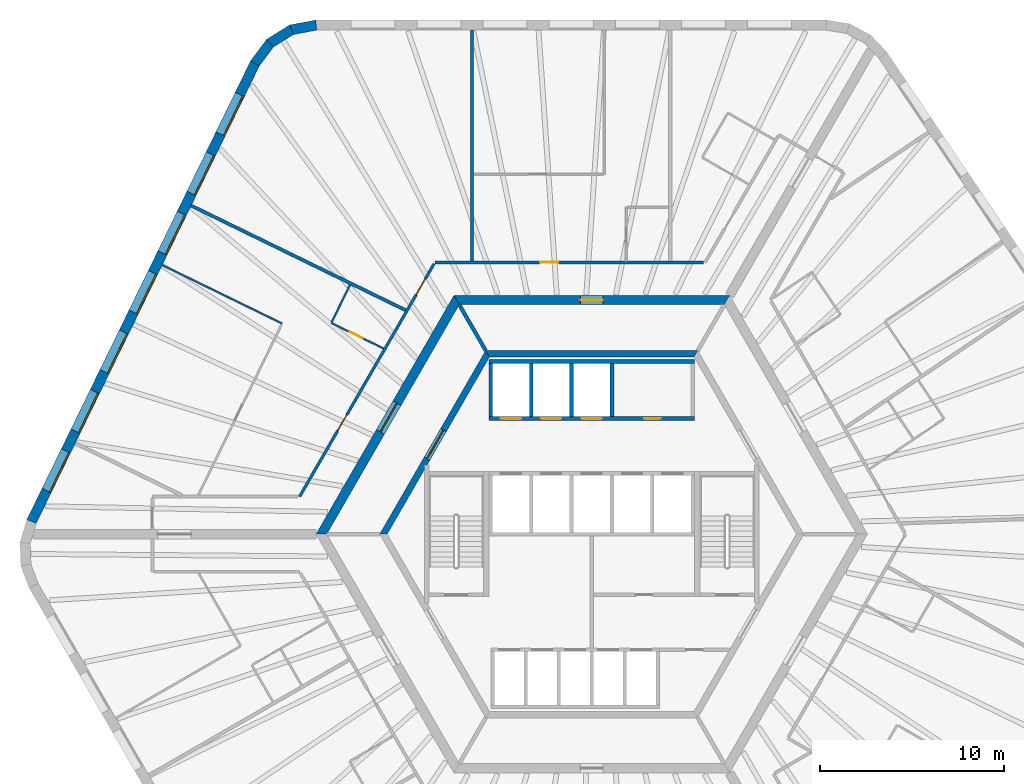
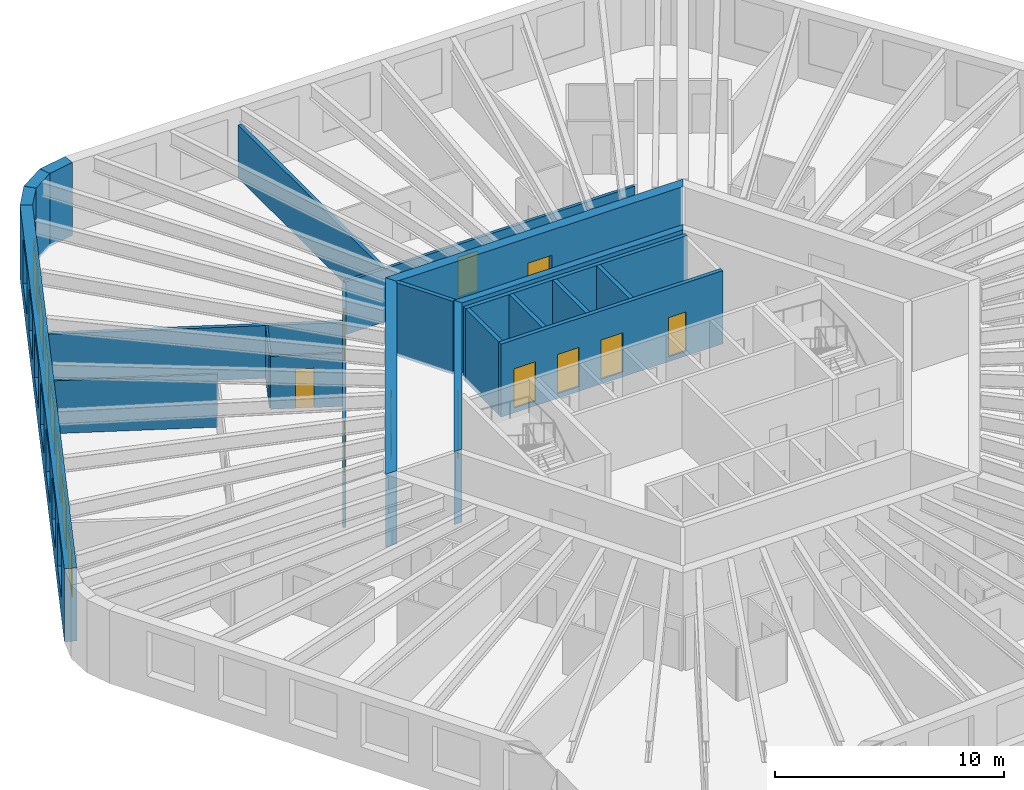
# One storey, part 7 of 10: 22 walls, 11 doors, 7 windows, 18 openings.
"""IFC4 building model written with IfcOpenShell, lengths in metres."""

from ifc_helpers import new_model, si_unit, direction, frame, frame_2d, origin, place, context, subcontext, project, spatial, polyline, rectangle, outline, extrude, material, layer, layer_set, type_object, element, fill, save


model = new_model("IFC4")

# Units and contexts
model_context = context("Model", 3, precision=1e-05, world=origin(), true_north=direction((0.0, 1.0)))
body_context = subcontext(model_context, "Body", "Model", "MODEL_VIEW")
ifc_project = project(units=[si_unit("LENGTHUNIT", "METRE"), si_unit("AREAUNIT", "SQUARE_METRE"), si_unit("VOLUMEUNIT", "CUBIC_METRE"), si_unit("PLANEANGLEUNIT", "RADIAN"), si_unit("MASSUNIT", "GRAM", prefix="KILO")], contexts=[model_context])

# Site, building, storey
site_placement = place(None, origin())
site = spatial("IfcSite", under=ifc_project, at=site_placement, CompositionType="ELEMENT")
building_placement = place(site_placement, origin())
building = spatial("IfcBuilding", under=site, at=building_placement, Name="Tarnside Tower", CompositionType="ELEMENT")
storey_placement = place(building_placement, frame((0.0, 0.0, 156.60009765625)))
storey = spatial("IfcBuildingStorey", under=building, at=storey_placement, Name="L36", CompositionType="ELEMENT", Elevation=156.60009765625)

# Wall, opening, door
ifc_material_1 = material(Name="Gypsum board partition on steel studs", Category="steel")
ifc_layer_1 = layer(ifc_material_1, 0.10009765625)
ifc_layer_set_1 = layer_set([ifc_layer_1], Name="Bathroom wall 100")
wall_type_1 = type_object("IfcWallType", Name="Bathroom wall 100", PredefinedType="PARTITIONING", material=ifc_layer_set_1)
wall_1_placement = place(storey_placement, frame((-11.338134765625, 10.111572265625, 0.0), z_axis=(0.0, 0.0, 1.0), x_axis=(-0.898781792608, 0.438396269688, 0.0)))
wall_1 = element("IfcWall", 1, at=wall_1_placement, inside=storey, type_object=wall_type_1, Name="Bathroom wall 11061", PredefinedType="PARTITIONING", context=body_context, shape_type="SweptSolid", body=[
    extrude(rectangle(XDim=3.164306640625, YDim=0.10009765625, at=frame_2d((1.58203125, 0.0))), origin(), (0.0, 0.0, 1.0), 2.8232421875),
])
opening_1_placement = place(wall_1_placement, frame((1.26416015625, 0.0, 0.0)))
opening_1 = element("IfcOpeningElement", 2, at=opening_1_placement, cuts=wall_1, Name="Opening D-B1", PredefinedType="OPENING", context=body_context, shape_type="SweptSolid", body=[
    extrude(rectangle(XDim=0.800048828125, YDim=2.10009765625, at=frame_2d((0.39990234375, 1.050048828125))), frame((0.0, 0.06005859375, 0.0), z_axis=(0.0, -1.0, 0.0), x_axis=(1.0, 0.0, 0.0)), (0.0, 0.0, 1.0), 0.1201171875),
])
ifc_material_2 = material(Name="Timber door leaf", Category="wood")
door_type_1 = type_object("IfcDoorType", Name="Bathroom door 800", OperationType="NOTDEFINED", PredefinedType="DOOR", material=ifc_material_2)
door_1_placement = place(opening_1_placement, origin())
door_1 = element("IfcDoor", 3, at=door_1_placement, inside=storey, type_object=door_type_1, Name="Bathroom door 11008", OperationType="SINGLE_SWING_LEFT", OverallHeight=2.10009765625, OverallWidth=0.800048828125, PredefinedType="DOOR", context=body_context, shape_type="SweptSolid", body=[
    extrude(rectangle(XDim=0.800048828125, YDim=2.10009765625, at=frame_2d((0.39990234375, 1.050048828125))), frame((0.0, 0.02490234375, 0.0), z_axis=(0.0, -1.0, 0.0), x_axis=(1.0, 0.0, 0.0)), (0.0, 0.0, 1.0), 0.050048828125),
])
fill(opening_1, door_1)

# Wall
wall_2_placement = place(storey_placement, frame((-14.160400390625, 11.543701171875, 0.0), z_axis=(0.0, 0.0, 1.0), x_axis=(0.438376807268, 0.898791285477, 0.0)))
element("IfcWall", 4, at=wall_2_placement, inside=storey, type_object=wall_type_1, Name="Bathroom wall 11062", PredefinedType="PARTITIONING", context=body_context, shape_type="SweptSolid", body=[
    extrude(rectangle(XDim=2.260009765625, YDim=0.10009765625, at=frame_2d((1.1298828125, 0.0))), origin(), (0.0, 0.0, 1.0), 2.8232421875),
])

# Wall, opening, door
ifc_material_3 = material(Name="Concrete C50/60", Category="concrete")
ifc_layer_2 = layer(ifc_material_3, 0.35009765625)
ifc_layer_set_2 = layer_set([ifc_layer_2], Name="Core block wall 350 C50/60")
wall_type_2 = type_object("IfcWallType", Name="Core block wall 350 C50/60", PredefinedType="SHEAR", material=ifc_layer_set_2)
wall_3_placement = place(storey_placement, frame((-5.672607421875, 9.824951171875, -0.150146484375), z_axis=(0.0, 0.0, 1.0), x_axis=(-0.499995046907, -0.866028263435, 0.0)))
wall_3 = element("IfcWall", 5, at=wall_3_placement, inside=storey, type_object=wall_type_2, Name="L36 core block wall face 2", PredefinedType="SHEAR", context=body_context, shape_type="SweptSolid", body=[
    extrude(outline(polyline([(-0.10107421875, -0.175048828125), (11.44580078125, -0.175048828125), (11.24365234375, 0.175048828125), (0.10107421875, 0.175048828125), (-0.10107421875, -0.175048828125)])), origin(), (0.0, 0.0, 1.0), 3.900146484375),
])
opening_2_placement = place(wall_3_placement, frame((4.80126953125, 0.0, 0.14990234375)))
opening_2 = element("IfcOpeningElement", 6, at=opening_2_placement, cuts=wall_3, Name="Opening CD-LOB", PredefinedType="OPENING", context=body_context, shape_type="SweptSolid", body=[
    extrude(rectangle(XDim=1.800048828125, YDim=2.39990234375, at=frame_2d((0.89990234375, 1.199951171875))), frame((0.0, 0.18505859375, 0.0), z_axis=(0.0, -1.0, 0.0), x_axis=(1.0, 0.0, 0.0)), (0.0, 0.0, 1.0), 0.3701171875),
])
ifc_material_4 = material(Name="Steel fire door", Category="steel")
door_type_2 = type_object("IfcDoorType", Name="Lobby double door FD30S 1800x2400", OperationType="NOTDEFINED", PredefinedType="DOOR", material=ifc_material_4)
door_2_placement = place(opening_2_placement, origin())
door_2 = element("IfcDoor", 7, at=door_2_placement, inside=storey, type_object=door_type_2, Name="L36 lobby block door P1", OperationType="DOUBLE_DOOR_SINGLE_SWING", OverallHeight=2.39990234375, OverallWidth=1.800048828125, PredefinedType="DOOR", context=body_context, shape_type="SweptSolid", body=[
    extrude(rectangle(XDim=1.800048828125, YDim=2.39990234375, at=frame_2d((0.89990234375, 1.199951171875))), frame((0.0, 0.02490234375, 0.0), z_axis=(0.0, -1.0, 0.0), x_axis=(1.0, 0.0, 0.0)), (0.0, 0.0, 1.0), 0.050048828125),
])
fill(opening_2, door_2)

# Wall
wall_4_placement = place(storey_placement, frame((5.672607421875, 9.824951171875, -0.150146484375), z_axis=(0.0, 0.0, 1.0), x_axis=(-1.0, 0.0, 0.0)))
element("IfcWall", 8, at=wall_4_placement, inside=storey, type_object=wall_type_2, Name="L36 core block wall face 1", PredefinedType="SHEAR", context=body_context, shape_type="SweptSolid", body=[
    extrude(outline(polyline([(-0.10107421875, -0.175048828125), (11.4462890625, -0.175048828125), (11.244140625, 0.175048828125), (0.10107421875, 0.175048828125), (-0.10107421875, -0.175048828125)])), origin(), (0.0, 0.0, 1.0), 3.900146484375),
])

# Wall, opening, door
ifc_material_5 = material(Name="Concrete C70/85", Category="concrete")
ifc_layer_3 = layer(ifc_material_5, 0.5)
ifc_layer_set_3 = layer_set([ifc_layer_3], Name="Core wall Z2 500 C70/85")
wall_type_3 = type_object("IfcWallType", Name="Core wall Z2 500 C70/85", PredefinedType="SHEAR", material=ifc_layer_set_3)
wall_5_placement = place(storey_placement, frame((-7.361083984375, 12.75, -0.150146484375), z_axis=(0.0, 0.0, 1.0), x_axis=(-0.50000571537, -0.866022103989, 0.0)))
wall_5 = element("IfcWall", 9, at=wall_5_placement, inside=storey, type_object=wall_type_3, Name="L36 core wall face 2", PredefinedType="SHEAR", context=body_context, shape_type="SweptSolid", body=[
    extrude(outline(polyline([(-0.144287109375, -0.25), (14.86669921875, -0.25), (14.578125, 0.25), (0.144287109375, 0.25), (-0.144287109375, -0.25)])), origin(), (0.0, 0.0, 1.0), 3.900146484375),
])
opening_3_placement = place(wall_5_placement, frame((6.489990234375, 0.0, 0.14990234375)))
opening_3 = element("IfcOpeningElement", 10, at=opening_3_placement, cuts=wall_5, Name="Opening CD-LOB", PredefinedType="OPENING", context=body_context, shape_type="SweptSolid", body=[
    extrude(rectangle(XDim=1.800048828125, YDim=2.39990234375, at=frame_2d((0.89990234375, 1.199951171875))), frame((0.0, 0.260009765625, 0.0), z_axis=(0.0, -1.0, 0.0), x_axis=(1.0, 0.0, 0.0)), (0.0, 0.0, 1.0), 0.52001953125),
])
door_3_placement = place(opening_3_placement, origin())
door_3 = element("IfcDoor", 11, at=door_3_placement, inside=storey, type_object=door_type_2, Name="L36 core door P1", OperationType="DOUBLE_DOOR_SINGLE_SWING", OverallHeight=2.39990234375, OverallWidth=1.800048828125, PredefinedType="DOOR", context=body_context, shape_type="SweptSolid", body=[
    extrude(rectangle(XDim=1.800048828125, YDim=2.39990234375, at=frame_2d((0.89990234375, 1.199951171875))), frame((0.0, 0.02490234375, 0.0), z_axis=(0.0, -1.0, 0.0), x_axis=(1.0, 0.0, 0.0)), (0.0, 0.0, 1.0), 0.050048828125),
])
fill(opening_3, door_3)

wall_6_placement = place(storey_placement, frame((7.361083984375, 12.75, -0.150146484375), z_axis=(0.0, 0.0, 1.0), x_axis=(-1.0, 0.0, 0.0)))
wall_6 = element("IfcWall", 12, at=wall_6_placement, inside=storey, type_object=wall_type_3, Name="L36 core wall face 1", PredefinedType="SHEAR", context=body_context, shape_type="SweptSolid", body=[
    extrude(outline(polyline([(-0.144287109375, -0.25), (14.866455078125, -0.25), (14.577880859375, 0.25), (0.144287109375, 0.25), (-0.144287109375, -0.25)])), origin(), (0.0, 0.0, 1.0), 3.900146484375),
])
opening_4_placement = place(wall_6_placement, frame((6.76123046875, 0.0, 0.14990234375)))
opening_4 = element("IfcOpeningElement", 13, at=opening_4_placement, cuts=wall_6, Name="Opening CD-RSR", PredefinedType="OPENING", context=body_context, shape_type="SweptSolid", body=[
    extrude(rectangle(XDim=1.199951171875, YDim=2.39990234375, at=frame_2d((0.60009765625, 1.199951171875))), frame((0.0, 0.260009765625, 0.0), z_axis=(0.0, -1.0, 0.0), x_axis=(1.0, 0.0, 0.0)), (0.0, 0.0, 1.0), 0.52001953125),
])
door_type_3 = type_object("IfcDoorType", Name="Riser door FD60 1200x2400", OperationType="NOTDEFINED", PredefinedType="DOOR", material=ifc_material_4)
door_4_placement = place(opening_4_placement, origin())
door_4 = element("IfcDoor", 14, at=door_4_placement, inside=storey, type_object=door_type_3, Name="L36 core door S5", OperationType="SINGLE_SWING_LEFT", OverallHeight=2.39990234375, OverallWidth=1.199951171875, PredefinedType="DOOR", context=body_context, shape_type="SweptSolid", body=[
    extrude(rectangle(XDim=1.199951171875, YDim=2.39990234375, at=frame_2d((0.60009765625, 1.199951171875))), frame((0.0, 0.02490234375, 0.0), z_axis=(0.0, -1.0, 0.0), x_axis=(1.0, 0.0, 0.0)), (0.0, 0.0, 1.0), 0.050048828125),
])
fill(opening_4, door_4)

ifc_layer_4 = layer(ifc_material_1, 0.14990234375)
ifc_layer_set_4 = layer_set([ifc_layer_4], Name="Corridor wall 150 EI 60")
wall_type_4 = type_object("IfcWallType", Name="Corridor wall 150 EI 60", PredefinedType="PARTITIONING", material=ifc_layer_set_4)
wall_7_placement = place(storey_placement, frame((6.091064453125, 14.800048828125, 0.0), z_axis=(0.0, 0.0, 1.0), x_axis=(-1.0, 0.0, 0.0)))
wall_7 = element("IfcWall", 15, at=wall_7_placement, inside=storey, type_object=wall_type_4, Name="Corridor wall 11002", PredefinedType="PARTITIONING", context=body_context, shape_type="SweptSolid", body=[
    extrude(rectangle(XDim=14.6357421875, YDim=0.14990234375, at=frame_2d((7.31787109375, 0.0))), origin(), (0.0, 0.0, 1.0), 2.8232421875),
])
opening_5_placement = place(wall_7_placement, frame((7.908935546875, 0.0, 0.0)))
opening_5 = element("IfcOpeningElement", 16, at=opening_5_placement, cuts=wall_7, Name="Opening D-E1", PredefinedType="OPENING", context=body_context, shape_type="SweptSolid", body=[
    extrude(rectangle(XDim=1.0, YDim=2.10009765625, at=frame_2d((0.5, 1.050048828125))), frame((0.0, 0.0849609375, 0.0), z_axis=(0.0, -1.0, 0.0), x_axis=(1.0, 0.0, 0.0)), (0.0, 0.0, 1.0), 0.169921875),
])
door_type_4 = type_object("IfcDoorType", Name="Unit entrance door 1000 FD30S", OperationType="NOTDEFINED", PredefinedType="DOOR", material=ifc_material_2)
door_5_placement = place(opening_5_placement, origin())
door_5 = element("IfcDoor", 17, at=door_5_placement, inside=storey, type_object=door_type_4, Name="Unit door 11003", OperationType="SINGLE_SWING_RIGHT", OverallHeight=2.10009765625, OverallWidth=1.0, PredefinedType="DOOR", context=body_context, shape_type="SweptSolid", body=[
    extrude(rectangle(XDim=1.0, YDim=2.10009765625, at=frame_2d((0.5, 1.050048828125))), frame((0.0, 0.02490234375, 0.0), z_axis=(0.0, -1.0, 0.0), x_axis=(1.0, 0.0, 0.0)), (0.0, 0.0, 1.0), 0.050048828125),
])
fill(opening_5, door_5)

# Wall, openings, doors
wall_8_placement = place(storey_placement, frame((-8.588134765625, 14.72509765625, 0.0), z_axis=(0.0, 0.0, 1.0), x_axis=(-0.499996322767, -0.866027526826, 0.0)))
wall_8 = element("IfcWall", 18, at=wall_8_placement, inside=storey, type_object=wall_type_4, Name="Corridor wall 11009", PredefinedType="PARTITIONING", context=body_context, shape_type="SweptSolid", body=[
    extrude(rectangle(XDim=14.6357421875, YDim=0.14990234375, at=frame_2d((7.31787109375, 0.0))), origin(), (0.0, 0.0, 1.0), 2.8232421875),
])
opening_6_placement = place(wall_8_placement, frame((0.936279296875, 0.0, 0.0)))
opening_6 = element("IfcOpeningElement", 19, at=opening_6_placement, cuts=wall_8, Name="Opening D-E1", PredefinedType="OPENING", context=body_context, shape_type="SweptSolid", body=[
    extrude(rectangle(XDim=1.0, YDim=2.10009765625, at=frame_2d((0.5, 1.050048828125))), frame((0.0, 0.0849609375, 0.0), z_axis=(0.0, -1.0, 0.0), x_axis=(1.0, 0.0, 0.0)), (0.0, 0.0, 1.0), 0.169921875),
])
opening_7_placement = place(wall_8_placement, frame((9.49462890625, 0.0, 0.0)))
opening_7 = element("IfcOpeningElement", 20, at=opening_7_placement, cuts=wall_8, Name="Opening D-E1", PredefinedType="OPENING", context=body_context, shape_type="SweptSolid", body=[
    extrude(rectangle(XDim=1.0, YDim=2.10009765625, at=frame_2d((0.5, 1.050048828125))), frame((0.0, 0.0849609375, 0.0), z_axis=(0.0, -1.0, 0.0), x_axis=(1.0, 0.0, 0.0)), (0.0, 0.0, 1.0), 0.169921875),
])
door_6_placement = place(opening_6_placement, origin())
door_6 = element("IfcDoor", 21, at=door_6_placement, inside=storey, type_object=door_type_4, Name="Unit door 11006", OperationType="SINGLE_SWING_RIGHT", OverallHeight=2.10009765625, OverallWidth=1.0, PredefinedType="DOOR", context=body_context, shape_type="SweptSolid", body=[
    extrude(rectangle(XDim=1.0, YDim=2.10009765625, at=frame_2d((0.5, 1.050048828125))), frame((0.0, 0.02490234375, 0.0), z_axis=(0.0, -1.0, 0.0), x_axis=(1.0, 0.0, 0.0)), (0.0, 0.0, 1.0), 0.050048828125),
])
fill(opening_6, door_6)
door_7_placement = place(opening_7_placement, origin())
door_7 = element("IfcDoor", 22, at=door_7_placement, inside=storey, type_object=door_type_4, Name="Unit door 11007", OperationType="SINGLE_SWING_RIGHT", OverallHeight=2.10009765625, OverallWidth=1.0, PredefinedType="DOOR", context=body_context, shape_type="SweptSolid", body=[
    extrude(rectangle(XDim=1.0, YDim=2.10009765625, at=frame_2d((0.5, 1.050048828125))), frame((0.0, 0.02490234375, 0.0), z_axis=(0.0, -1.0, 0.0), x_axis=(1.0, 0.0, 0.0)), (0.0, 0.0, 1.0), 0.050048828125),
])
fill(opening_7, door_7)

# Walls
ifc_layer_5 = layer(ifc_material_1, 0.179931640625)
ifc_layer_set_5 = layer_set([ifc_layer_5], Name="Demising wall 180 EI 60")
wall_type_5 = type_object("IfcWallType", Name="Demising wall 180 EI 60", PredefinedType="PARTITIONING", material=ifc_layer_set_5)
wall_9_placement = place(storey_placement, frame((-6.517822265625, 27.449951171875, 0.0), z_axis=(0.0, 0.0, 1.0), x_axis=(0.0, -1.0, 0.0)))
element("IfcWall", 23, at=wall_9_placement, inside=storey, type_object=wall_type_5, Name="Demising wall 11057", PredefinedType="PARTITIONING", context=body_context, shape_type="SweptSolid", body=[
    extrude(rectangle(XDim=12.574951171875, YDim=0.179931640625, at=frame_2d((6.28759765625, 0.0))), origin(), (0.0, 0.0, 1.0), 2.8232421875),
])
wall_10_placement = place(storey_placement, frame((-21.814697265625, 17.8916015625, 0.0), z_axis=(0.0, 0.0, 1.0), x_axis=(0.898798778742, -0.43836144371, 0.0)))
element("IfcWall", 24, at=wall_10_placement, inside=storey, type_object=wall_type_5, Name="Demising wall 11059", PredefinedType="PARTITIONING", context=body_context, shape_type="SweptSolid", body=[
    extrude(rectangle(XDim=12.994384765625, YDim=0.179931640625, at=frame_2d((6.4970703125, 0.0))), origin(), (0.0, 0.0, 1.0), 2.8232421875),
])

# Wall, openings, doors
ifc_material_6 = material(Name="Concrete C40/50", Category="concrete")
ifc_layer_6 = layer(ifc_material_6, 0.199951171875)
ifc_layer_set_6 = layer_set([ifc_layer_6], Name="Lift shaft wall 200 C40/50")
wall_type_6 = type_object("IfcWallType", Name="Lift shaft wall 200 C40/50", PredefinedType="SHEAR", material=ifc_layer_set_6)
wall_11_placement = place(storey_placement, frame((-5.60009765625, 6.300048828125, -0.25), z_axis=(0.0, 0.0, 1.0), x_axis=(1.0, 0.0, 0.0)))
wall_11 = element("IfcWall", 25, at=wall_11_placement, inside=storey, type_object=wall_type_6, Name="L36 lift shaft front wall R1", PredefinedType="SHEAR", context=body_context, shape_type="SweptSolid", body=[
    extrude(rectangle(XDim=11.2001953125, YDim=0.199951171875, at=frame_2d((5.60009765625, 0.0))), origin(), (0.0, 0.0, 1.0), 3.89990234375),
])
opening_8_placement = place(wall_11_placement, frame((8.449951171875, 0.0, 0.25)))
opening_8 = element("IfcOpeningElement", 26, at=opening_8_placement, cuts=wall_11, Name="Opening CD-room", PredefinedType="OPENING", context=body_context, shape_type="SweptSolid", body=[
    extrude(rectangle(XDim=0.89990234375, YDim=2.10009765625, at=frame_2d((0.449951171875, 1.050048828125))), frame((0.0, 0.10986328125, 0.0), z_axis=(0.0, -1.0, 0.0), x_axis=(1.0, 0.0, 0.0)), (0.0, 0.0, 1.0), 0.219970703125),
])
opening_9_placement = place(wall_11_placement, frame((0.64990234375, 0.0, 0.25)))
opening_9 = element("IfcOpeningElement", 27, at=opening_9_placement, cuts=wall_11, Name="Opening LD", PredefinedType="OPENING", context=body_context, shape_type="SweptSolid", body=[
    extrude(rectangle(XDim=1.10009765625, YDim=2.10009765625, at=frame_2d((0.550048828125, 1.050048828125))), frame((0.0, 0.10986328125, 0.0), z_axis=(0.0, -1.0, 0.0), x_axis=(1.0, 0.0, 0.0)), (0.0, 0.0, 1.0), 0.219970703125),
])
opening_10_placement = place(wall_11_placement, frame((2.85009765625, 0.0, 0.25)))
opening_10 = element("IfcOpeningElement", 28, at=opening_10_placement, cuts=wall_11, Name="Opening LD", PredefinedType="OPENING", context=body_context, shape_type="SweptSolid", body=[
    extrude(rectangle(XDim=1.10009765625, YDim=2.10009765625, at=frame_2d((0.550048828125, 1.050048828125))), frame((0.0, 0.10986328125, 0.0), z_axis=(0.0, -1.0, 0.0), x_axis=(1.0, 0.0, 0.0)), (0.0, 0.0, 1.0), 0.219970703125),
])
opening_11_placement = place(wall_11_placement, frame((5.050048828125, 0.0, 0.25)))
opening_11 = element("IfcOpeningElement", 29, at=opening_11_placement, cuts=wall_11, Name="Opening LD", PredefinedType="OPENING", context=body_context, shape_type="SweptSolid", body=[
    extrude(rectangle(XDim=1.10009765625, YDim=2.10009765625, at=frame_2d((0.550048828125, 1.050048828125))), frame((0.0, 0.10986328125, 0.0), z_axis=(0.0, -1.0, 0.0), x_axis=(1.0, 0.0, 0.0)), (0.0, 0.0, 1.0), 0.219970703125),
])
ifc_material_7 = material(Name="Stainless steel", Category="steel")
door_type_5 = type_object("IfcDoorType", Name="Lift landing door 1100x2100", OperationType="NOTDEFINED", PredefinedType="DOOR", material=ifc_material_7)
door_8_placement = place(opening_9_placement, origin())
door_8 = element("IfcDoor", 30, at=door_8_placement, inside=storey, type_object=door_type_5, Name="Mid-rise lift 1 landing door L36", OperationType="SLIDING_TO_LEFT", OverallHeight=2.10009765625, OverallWidth=1.10009765625, PredefinedType="DOOR", context=body_context, shape_type="SweptSolid", body=[
    extrude(rectangle(XDim=1.10009765625, YDim=2.10009765625, at=frame_2d((0.550048828125, 1.050048828125))), frame((0.0, 0.02490234375, 0.0), z_axis=(0.0, -1.0, 0.0), x_axis=(1.0, 0.0, 0.0)), (0.0, 0.0, 1.0), 0.050048828125),
])
fill(opening_9, door_8)
door_9_placement = place(opening_10_placement, origin())
door_9 = element("IfcDoor", 31, at=door_9_placement, inside=storey, type_object=door_type_5, Name="Mid-rise lift 2 landing door L36", OperationType="SLIDING_TO_LEFT", OverallHeight=2.10009765625, OverallWidth=1.10009765625, PredefinedType="DOOR", context=body_context, shape_type="SweptSolid", body=[
    extrude(rectangle(XDim=1.10009765625, YDim=2.10009765625, at=frame_2d((0.550048828125, 1.050048828125))), frame((0.0, 0.02490234375, 0.0), z_axis=(0.0, -1.0, 0.0), x_axis=(1.0, 0.0, 0.0)), (0.0, 0.0, 1.0), 0.050048828125),
])
fill(opening_10, door_9)
door_10_placement = place(opening_11_placement, origin())
door_10 = element("IfcDoor", 32, at=door_10_placement, inside=storey, type_object=door_type_5, Name="Mid-rise lift 3 landing door L36", OperationType="SLIDING_TO_LEFT", OverallHeight=2.10009765625, OverallWidth=1.10009765625, PredefinedType="DOOR", context=body_context, shape_type="SweptSolid", body=[
    extrude(rectangle(XDim=1.10009765625, YDim=2.10009765625, at=frame_2d((0.550048828125, 1.050048828125))), frame((0.0, 0.02490234375, 0.0), z_axis=(0.0, -1.0, 0.0), x_axis=(1.0, 0.0, 0.0)), (0.0, 0.0, 1.0), 0.050048828125),
])
fill(opening_11, door_10)
door_type_6 = type_object("IfcDoorType", Name="Room door FD60 900x2100", OperationType="NOTDEFINED", PredefinedType="DOOR", material=ifc_material_4)
door_11_placement = place(opening_8_placement, origin())
door_11 = element("IfcDoor", 33, at=door_11_placement, inside=storey, type_object=door_type_6, Name="L36 core room door FC1", OperationType="SINGLE_SWING_LEFT", OverallHeight=2.10009765625, OverallWidth=0.89990234375, PredefinedType="DOOR", context=body_context, shape_type="SweptSolid", body=[
    extrude(rectangle(XDim=0.89990234375, YDim=2.10009765625, at=frame_2d((0.449951171875, 1.050048828125))), frame((0.0, 0.02490234375, 0.0), z_axis=(0.0, -1.0, 0.0), x_axis=(1.0, 0.0, 0.0)), (0.0, 0.0, 1.0), 0.050048828125),
])
fill(opening_8, door_11)

# Walls
wall_12_placement = place(storey_placement, frame((-5.60009765625, 9.39990234375, -0.25), z_axis=(0.0, 0.0, 1.0), x_axis=(1.0, 0.0, 0.0)))
element("IfcWall", 34, at=wall_12_placement, inside=storey, type_object=wall_type_6, Name="L36 lift shaft back wall R1", PredefinedType="SHEAR", context=body_context, shape_type="SweptSolid", body=[
    extrude(rectangle(XDim=11.2001953125, YDim=0.199951171875, at=frame_2d((5.60009765625, 0.0))), origin(), (0.0, 0.0, 1.0), 3.89990234375),
])
for number, where, z_axis, x_axis, name in (
    (35, (-5.5, 6.39990234375, -0.25), (0.0, 0.0, 1.0), (0.0, 1.0, 0.0), "L36 lift shaft partition R11"),
    (36, (-3.300048828125, 6.39990234375, -0.25), (0.0, 0.0, 1.0), (0.0, 1.0, 0.0), "L36 lift shaft partition R12"),
    (37, (-1.10009765625, 6.39990234375, -0.25), (0.0, 0.0, 1.0), (0.0, 1.0, 0.0), "L36 lift shaft partition R13"),
    (38, (1.10009765625, 6.39990234375, -0.25), (0.0, 0.0, 1.0), (0.0, 1.0, 0.0), "L36 lift shaft partition R14"),
):
    element("IfcWall", number, at=place(storey_placement, frame(where, z_axis=z_axis, x_axis=x_axis)), inside=storey, type_object=wall_type_6, Name=name, PredefinedType="SHEAR", context=body_context, shape_type="SweptSolid", body=[
        extrude(rectangle(XDim=2.900146484375, YDim=0.199951171875, at=frame_2d((1.4501953125, 0.0))), origin(), (0.0, 0.0, 1.0), 3.89990234375),
    ])
wall_13_placement = place(storey_placement, frame((-5.7734375, 10.0, -0.150146484375), z_axis=(0.0, 0.0, 1.0), x_axis=(-0.499995765644, 0.866027848477, 0.0)))
element("IfcWall", 39, at=wall_13_placement, inside=storey, type_object=wall_type_6, Name="L36 core partition AR120", PredefinedType="SHEAR", context=body_context, shape_type="SweptSolid", body=[
    extrude(rectangle(XDim=2.88671875, YDim=0.199951171875, at=frame_2d((1.443359375, 0.0))), origin(), (0.0, 0.0, 1.0), 3.900146484375),
])
ifc_layer_7 = layer(ifc_material_1, 0.10009765625)
ifc_layer_set_7 = layer_set([ifc_layer_7], Name="Partition 100")
wall_type_7 = type_object("IfcWallType", Name="Partition 100", PredefinedType="PARTITIONING", material=ifc_layer_set_7)
wall_14_placement = place(storey_placement, frame((-23.392822265625, 14.656005859375, 0.0), z_axis=(0.0, 0.0, 1.0), x_axis=(0.898794291179, -0.43837064471, 0.0)))
element("IfcWall", 40, at=wall_14_placement, inside=storey, type_object=wall_type_7, Name="Partition wall 11063", PredefinedType="PARTITIONING", context=body_context, shape_type="SweptSolid", body=[
    extrude(rectangle(XDim=7.262451171875, YDim=0.10009765625, at=frame_2d((3.63134765625, 0.0))), origin(), (0.0, 0.0, 1.0), 2.8232421875),
])
ifc_material_8 = material(Name="Facing brick", Category="masonry")
ifc_layer_8 = layer(ifc_material_8, 0.10205078125)
ifc_material_9 = material(Name="Concrete C60/75 precast", Category="concrete")
ifc_layer_9 = layer(ifc_material_9, 0.347900390625)
ifc_material_10 = material(Name="Mineral wool insulation")
ifc_layer_10 = layer(ifc_material_10, 0.10009765625)
ifc_layer_set_8 = layer_set([ifc_layer_8, ifc_layer_9, ifc_layer_10], Name="Tube wall 550 brick faced")
wall_type_8 = type_object("IfcWallType", Name="Tube wall 550 brick faced", PredefinedType="SOLIDWALL", material=ifc_layer_set_8)
wall_15_placement = place(storey_placement, frame((-14.996826171875, 27.72509765625, -0.150146484375), z_axis=(0.0, 0.0, 1.0), x_axis=(-0.982705443133, -0.185175624845, 0.0)))
element("IfcWall", 41, at=wall_15_placement, inside=storey, type_object=wall_type_8, Name="Tube wall L36 F1 chord 01", PredefinedType="SOLIDWALL", context=body_context, shape_type="SweptSolid", body=[
    extrude(outline(polyline([(-0.025634765625, -0.27490234375), (1.430908203125, -0.27490234375), (1.327392578125, 0.27490234375), (0.025634765625, 0.27490234375), (-0.025634765625, -0.27490234375)])), origin(), (0.0, 0.0, 1.0), 3.900146484375),
])
wall_16_placement = place(storey_placement, frame((-16.35205078125, 27.4697265625, -0.150146484375), z_axis=(0.0, 0.0, 1.0), x_axis=(-0.848057977594, -0.5299034503, 0.0)))
element("IfcWall", 42, at=wall_16_placement, inside=storey, type_object=wall_type_8, Name="Tube wall L36 F1 chord 02", PredefinedType="SOLIDWALL", context=body_context, shape_type="SweptSolid", body=[
    extrude(outline(polyline([(-0.0517578125, -0.27490234375), (1.4306640625, -0.27490234375), (1.3271484375, 0.27490234375), (0.0517578125, 0.27490234375), (-0.0517578125, -0.27490234375)])), origin(), (0.0, 0.0, 1.0), 3.900146484375),
])
wall_17_placement = place(storey_placement, frame((-17.521484375, 26.739013671875, -0.150146484375), z_axis=(0.0, 0.0, 1.0), x_axis=(-0.597135295884, -0.802140535324, 0.0)))
element("IfcWall", 43, at=wall_17_placement, inside=storey, type_object=wall_type_8, Name="Tube wall L36 F1 chord 03", PredefinedType="SOLIDWALL", context=body_context, shape_type="SweptSolid", body=[
    extrude(outline(polyline([(-0.0517578125, -0.27490234375), (1.40478515625, -0.27490234375), (1.353515625, 0.27490234375), (0.0517578125, 0.27490234375), (-0.0517578125, -0.27490234375)])), origin(), (0.0, 0.0, 1.0), 3.900146484375),
])

# Wall, openings, windows
wall_18_placement = place(storey_placement, frame((-18.344970703125, 25.6328125, -0.150146484375), z_axis=(0.0, 0.0, 1.0), x_axis=(-0.43837181828, -0.898793718791, 0.0)))
wall_18 = element("IfcWall", 44, at=wall_18_placement, inside=storey, type_object=wall_type_8, Name="Tube wall L36 F2 flush 04", PredefinedType="SOLIDWALL", context=body_context, shape_type="SweptSolid", body=[
    extrude(outline(polyline([(-0.025634765625, -0.27490234375), (27.7802734375, -0.27490234375), (27.7353515625, 0.27490234375), (0.025634765625, 0.27490234375), (-0.025634765625, -0.27490234375)])), origin(), (0.0, 0.0, 1.0), 3.900146484375),
])
opening_12_placement = place(wall_18_placement, frame((1.87890625, 0.0, 1.050048828125)))
opening_12 = element("IfcOpeningElement", 45, at=opening_12_placement, cuts=wall_18, Name="Opening WH", PredefinedType="OPENING", context=body_context, shape_type="SweptSolid", body=[
    extrude(rectangle(XDim=2.39990234375, YDim=2.39990234375, at=frame_2d((1.199951171875, 1.199951171875))), frame((0.0, 0.28515625, 0.0), z_axis=(0.0, -1.0, 0.0), x_axis=(1.0, 0.0, 0.0)), (0.0, 0.0, 1.0), 0.570068359375),
])
opening_13_placement = place(wall_18_placement, frame((5.47900390625, 0.0, 1.050048828125)))
opening_13 = element("IfcOpeningElement", 46, at=opening_13_placement, cuts=wall_18, Name="Opening WH", PredefinedType="OPENING", context=body_context, shape_type="SweptSolid", body=[
    extrude(rectangle(XDim=2.39990234375, YDim=2.39990234375, at=frame_2d((1.199951171875, 1.199951171875))), frame((0.0, 0.28515625, 0.0), z_axis=(0.0, -1.0, 0.0), x_axis=(1.0, 0.0, 0.0)), (0.0, 0.0, 1.0), 0.570068359375),
])
opening_14_placement = place(wall_18_placement, frame((9.078857421875, 0.0, 1.050048828125)))
opening_14 = element("IfcOpeningElement", 47, at=opening_14_placement, cuts=wall_18, Name="Opening WH", PredefinedType="OPENING", context=body_context, shape_type="SweptSolid", body=[
    extrude(rectangle(XDim=2.39990234375, YDim=2.39990234375, at=frame_2d((1.199951171875, 1.199951171875))), frame((0.0, 0.28515625, 0.0), z_axis=(0.0, -1.0, 0.0), x_axis=(1.0, 0.0, 0.0)), (0.0, 0.0, 1.0), 0.570068359375),
])
opening_15_placement = place(wall_18_placement, frame((12.678955078125, 0.0, 1.050048828125)))
opening_15 = element("IfcOpeningElement", 48, at=opening_15_placement, cuts=wall_18, Name="Opening WH", PredefinedType="OPENING", context=body_context, shape_type="SweptSolid", body=[
    extrude(rectangle(XDim=2.39990234375, YDim=2.39990234375, at=frame_2d((1.199951171875, 1.199951171875))), frame((0.0, 0.28515625, 0.0), z_axis=(0.0, -1.0, 0.0), x_axis=(1.0, 0.0, 0.0)), (0.0, 0.0, 1.0), 0.570068359375),
])
opening_16_placement = place(wall_18_placement, frame((16.27880859375, 0.0, 1.050048828125)))
opening_16 = element("IfcOpeningElement", 49, at=opening_16_placement, cuts=wall_18, Name="Opening WH", PredefinedType="OPENING", context=body_context, shape_type="SweptSolid", body=[
    extrude(rectangle(XDim=2.39990234375, YDim=2.39990234375, at=frame_2d((1.199951171875, 1.199951171875))), frame((0.0, 0.28515625, 0.0), z_axis=(0.0, -1.0, 0.0), x_axis=(1.0, 0.0, 0.0)), (0.0, 0.0, 1.0), 0.570068359375),
])
opening_17_placement = place(wall_18_placement, frame((19.87890625, 0.0, 1.050048828125)))
opening_17 = element("IfcOpeningElement", 50, at=opening_17_placement, cuts=wall_18, Name="Opening WH", PredefinedType="OPENING", context=body_context, shape_type="SweptSolid", body=[
    extrude(rectangle(XDim=2.39990234375, YDim=2.39990234375, at=frame_2d((1.199951171875, 1.199951171875))), frame((0.0, 0.28515625, 0.0), z_axis=(0.0, -1.0, 0.0), x_axis=(1.0, 0.0, 0.0)), (0.0, 0.0, 1.0), 0.570068359375),
])
opening_18_placement = place(wall_18_placement, frame((23.47900390625, 0.0, 1.050048828125)))
opening_18 = element("IfcOpeningElement", 51, at=opening_18_placement, cuts=wall_18, Name="Opening WH", PredefinedType="OPENING", context=body_context, shape_type="SweptSolid", body=[
    extrude(rectangle(XDim=2.39990234375, YDim=2.39990234375, at=frame_2d((1.199951171875, 1.199951171875))), frame((0.0, 0.28515625, 0.0), z_axis=(0.0, -1.0, 0.0), x_axis=(1.0, 0.0, 0.0)), (0.0, 0.0, 1.0), 0.570068359375),
])
ifc_material_11 = material(Name="Aluminium-framed double glazing", Category="aluminium")
window_type = type_object("IfcWindowType", Name="Hotel window 2400 x 2400", PartitioningType="DOUBLE_PANEL_VERTICAL", PredefinedType="WINDOW", material=ifc_material_11)
window_1_placement = place(opening_12_placement, frame((0.0, 0.205078125, 0.0)))
window_1 = element("IfcWindow", 52, at=window_1_placement, inside=storey, type_object=window_type, Name="E.WN.L36.F2.00", OverallHeight=2.39990234375, OverallWidth=2.39990234375, PartitioningType="DOUBLE_PANEL_VERTICAL", PredefinedType="WINDOW", context=body_context, shape_type="SweptSolid", body=[
    extrude(rectangle(XDim=2.39990234375, YDim=2.39990234375, at=frame_2d((1.199951171875, 1.199951171875))), frame((0.0, 0.030029296875, 0.0), z_axis=(0.0, -1.0, 0.0), x_axis=(1.0, 0.0, 0.0)), (0.0, 0.0, 1.0), 0.06005859375),
])
fill(opening_12, window_1)
window_2_placement = place(opening_13_placement, frame((0.0, 0.205078125, 0.0)))
window_2 = element("IfcWindow", 53, at=window_2_placement, inside=storey, type_object=window_type, Name="E.WN.L36.F2.01", OverallHeight=2.39990234375, OverallWidth=2.39990234375, PartitioningType="DOUBLE_PANEL_VERTICAL", PredefinedType="WINDOW", context=body_context, shape_type="SweptSolid", body=[
    extrude(rectangle(XDim=2.39990234375, YDim=2.39990234375, at=frame_2d((1.199951171875, 1.199951171875))), frame((0.0, 0.030029296875, 0.0), z_axis=(0.0, -1.0, 0.0), x_axis=(1.0, 0.0, 0.0)), (0.0, 0.0, 1.0), 0.06005859375),
])
fill(opening_13, window_2)
window_3_placement = place(opening_14_placement, frame((0.0, 0.205078125, 0.0)))
window_3 = element("IfcWindow", 54, at=window_3_placement, inside=storey, type_object=window_type, Name="E.WN.L36.F2.02", OverallHeight=2.39990234375, OverallWidth=2.39990234375, PartitioningType="DOUBLE_PANEL_VERTICAL", PredefinedType="WINDOW", context=body_context, shape_type="SweptSolid", body=[
    extrude(rectangle(XDim=2.39990234375, YDim=2.39990234375, at=frame_2d((1.199951171875, 1.199951171875))), frame((0.0, 0.030029296875, 0.0), z_axis=(0.0, -1.0, 0.0), x_axis=(1.0, 0.0, 0.0)), (0.0, 0.0, 1.0), 0.06005859375),
])
fill(opening_14, window_3)
window_4_placement = place(opening_15_placement, frame((0.0, 0.205078125, 0.0)))
window_4 = element("IfcWindow", 55, at=window_4_placement, inside=storey, type_object=window_type, Name="E.WN.L36.F2.03", OverallHeight=2.39990234375, OverallWidth=2.39990234375, PartitioningType="DOUBLE_PANEL_VERTICAL", PredefinedType="WINDOW", context=body_context, shape_type="SweptSolid", body=[
    extrude(rectangle(XDim=2.39990234375, YDim=2.39990234375, at=frame_2d((1.199951171875, 1.199951171875))), frame((0.0, 0.030029296875, 0.0), z_axis=(0.0, -1.0, 0.0), x_axis=(1.0, 0.0, 0.0)), (0.0, 0.0, 1.0), 0.06005859375),
])
fill(opening_15, window_4)
window_5_placement = place(opening_16_placement, frame((0.0, 0.205078125, 0.0)))
window_5 = element("IfcWindow", 56, at=window_5_placement, inside=storey, type_object=window_type, Name="E.WN.L36.F2.04", OverallHeight=2.39990234375, OverallWidth=2.39990234375, PartitioningType="DOUBLE_PANEL_VERTICAL", PredefinedType="WINDOW", context=body_context, shape_type="SweptSolid", body=[
    extrude(rectangle(XDim=2.39990234375, YDim=2.39990234375, at=frame_2d((1.199951171875, 1.199951171875))), frame((0.0, 0.030029296875, 0.0), z_axis=(0.0, -1.0, 0.0), x_axis=(1.0, 0.0, 0.0)), (0.0, 0.0, 1.0), 0.06005859375),
])
fill(opening_16, window_5)
window_6_placement = place(opening_17_placement, frame((0.0, 0.205078125, 0.0)))
window_6 = element("IfcWindow", 57, at=window_6_placement, inside=storey, type_object=window_type, Name="E.WN.L36.F2.05", OverallHeight=2.39990234375, OverallWidth=2.39990234375, PartitioningType="DOUBLE_PANEL_VERTICAL", PredefinedType="WINDOW", context=body_context, shape_type="SweptSolid", body=[
    extrude(rectangle(XDim=2.39990234375, YDim=2.39990234375, at=frame_2d((1.199951171875, 1.199951171875))), frame((0.0, 0.030029296875, 0.0), z_axis=(0.0, -1.0, 0.0), x_axis=(1.0, 0.0, 0.0)), (0.0, 0.0, 1.0), 0.06005859375),
])
fill(opening_17, window_6)
window_7_placement = place(opening_18_placement, frame((0.0, 0.205078125, 0.0)))
window_7 = element("IfcWindow", 58, at=window_7_placement, inside=storey, type_object=window_type, Name="E.WN.L36.F2.06", OverallHeight=2.39990234375, OverallWidth=2.39990234375, PartitioningType="DOUBLE_PANEL_VERTICAL", PredefinedType="WINDOW", context=body_context, shape_type="SweptSolid", body=[
    extrude(rectangle(XDim=2.39990234375, YDim=2.39990234375, at=frame_2d((1.199951171875, 1.199951171875))), frame((0.0, 0.030029296875, 0.0), z_axis=(0.0, -1.0, 0.0), x_axis=(1.0, 0.0, 0.0)), (0.0, 0.0, 1.0), 0.06005859375),
])
fill(opening_18, window_7)

save(model, "model.ifc")
